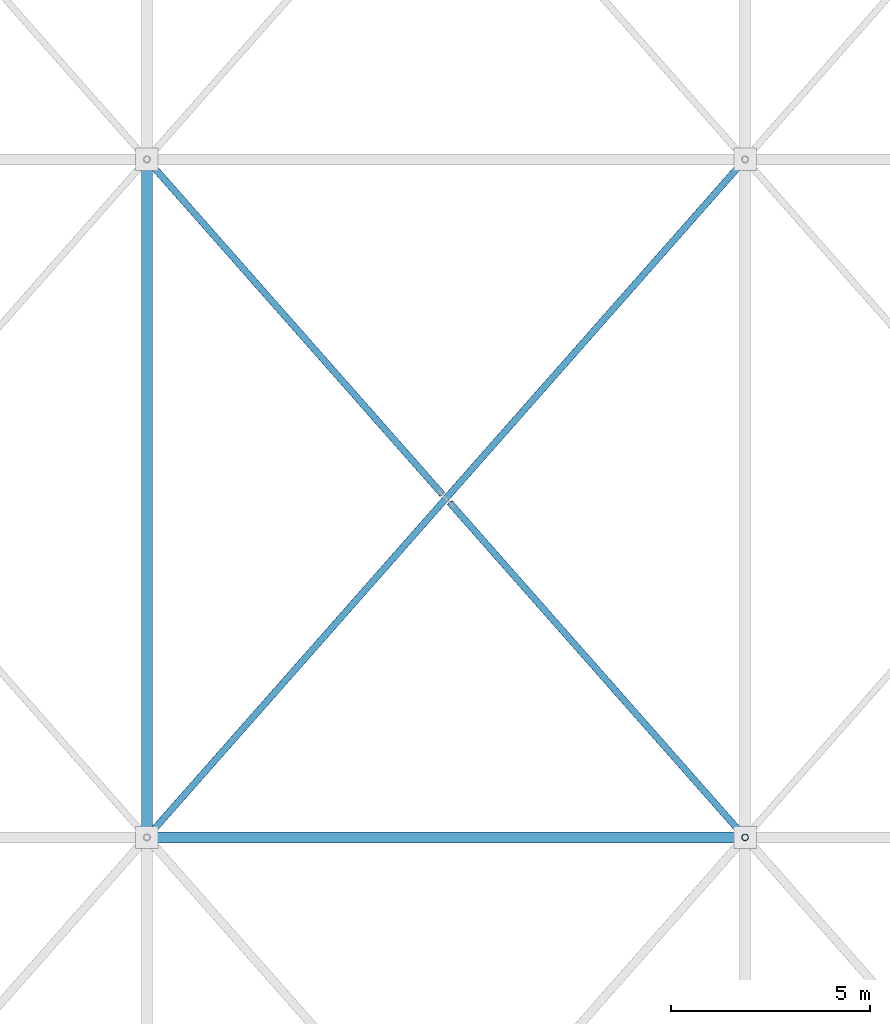
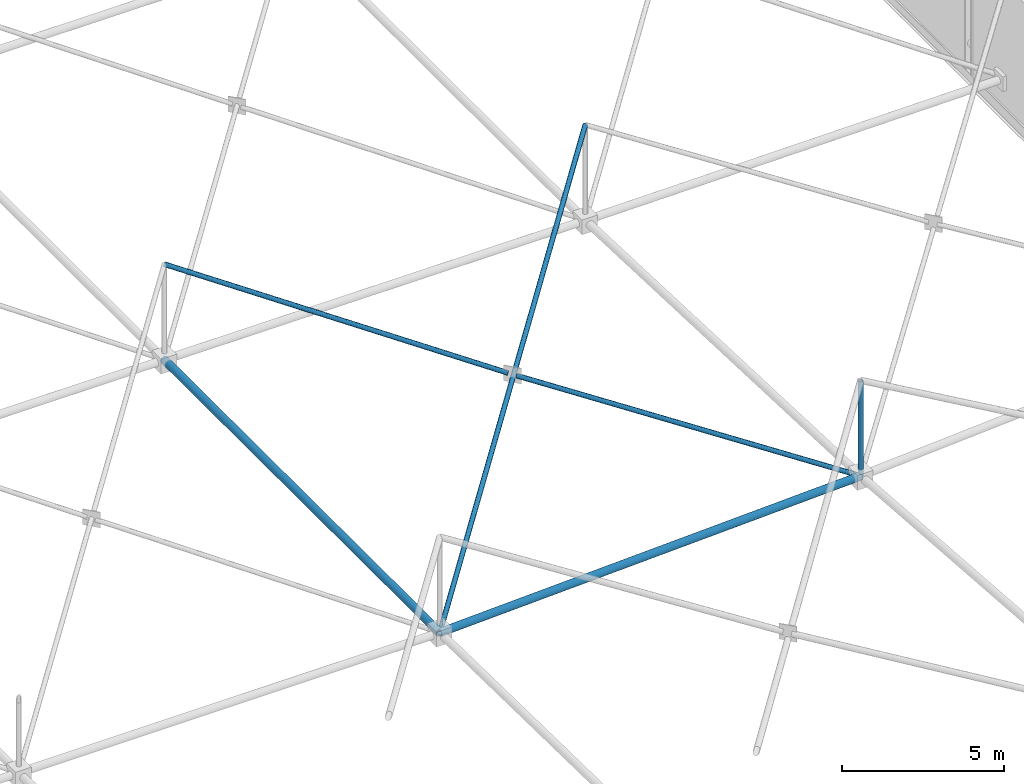
# One storey, part 61 of 224: 6 members.
"""IFC4 building model written with IfcOpenShell, lengths in metres."""

from ifc_helpers import new_model, si_unit, direction, frame, origin, origin_2d, place, context, subcontext, project, spatial, hollow_circle, extrude, material, material_profile, profile_set, type_object, element, save


model = new_model("IFC4")

# Units and contexts
model_context = context("Model", 3, precision=1e-05, world=origin(), true_north=direction((0.0, 1.0)))
body_context = subcontext(model_context, "Body", "Model", "MODEL_VIEW")
ifc_project = project(units=[si_unit("LENGTHUNIT", "METRE"), si_unit("AREAUNIT", "SQUARE_METRE"), si_unit("VOLUMEUNIT", "CUBIC_METRE"), si_unit("PLANEANGLEUNIT", "RADIAN"), si_unit("MASSUNIT", "GRAM", prefix="KILO")], contexts=[model_context])

# Site, building, storey
site_placement = place(None, origin())
site = spatial("IfcSite", under=ifc_project, at=site_placement, CompositionType="ELEMENT")
building_placement = place(site_placement, origin())
building = spatial("IfcBuilding", under=site, at=building_placement, Name="Qamarlyn Nura Convention Centre", CompositionType="ELEMENT")
storey_placement = place(building_placement, frame((0.0, 0.0, 10.800048828125)))
storey = spatial("IfcBuildingStorey", under=building, at=storey_placement, Name="L02", CompositionType="ELEMENT", Elevation=10.800048828125)

# Members
ifc_material = material(Name="Pearl-white PVDF steel ASTM A500 Grade C", Category="steel")
ifc_material_profile_1 = material_profile(ifc_material, hollow_circle(Radius=0.136474609375, WallThickness=0.012451171875, at=origin_2d()), Name="CHS273X12.5")
ifc_profile_set_1 = profile_set([ifc_material_profile_1], Name="Pearl-white PVDF steel ASTM A500 Grade C")
member_type_1 = type_object("IfcMemberType", Name="SF-BC-MAIN", PredefinedType="CHORD", material=ifc_profile_set_1)
member_1_placement = place(storey_placement, frame((90.0, 35.0, 0.828857421875), z_axis=(0.999057783726, 0.0, 0.043399824622), x_axis=(0.0, 1.0, 0.0)))
element("IfcMember", 1, at=member_1_placement, inside=storey, type_object=member_type_1, Name="ROOF TRUSS space frame bottom chord X8-3", PredefinedType="CHORD", context=body_context, shape_type="SweptSolid", body=[
    extrude(hollow_circle(Radius=0.136474609375, WallThickness=0.012451171875, at=origin_2d()), origin(), (0.0, 0.0, 1.0), 15.01416015625),
])
member_2_placement = place(storey_placement, frame((90.0, 35.0, 0.828857421875), z_axis=(0.0, 0.999998564129, -0.001694620729), x_axis=(-1.0, 0.0, 0.0)))
element("IfcMember", 2, at=member_2_placement, inside=storey, type_object=member_type_1, Name="ROOF TRUSS space frame bottom chord Y8-3", PredefinedType="CHORD", context=body_context, shape_type="SweptSolid", body=[
    extrude(hollow_circle(Radius=0.136474609375, WallThickness=0.012451171875, at=origin_2d()), origin(), (0.0, 0.0, 1.0), 17.0),
])
ifc_material_profile_2 = material_profile(ifc_material, hollow_circle(Radius=0.084228515625, WallThickness=0.008056640625, at=origin_2d()), Name="CHS168.3X8")
ifc_profile_set_2 = profile_set([ifc_material_profile_2], Name="Pearl-white PVDF steel ASTM A500 Grade C")
member_type_2 = type_object("IfcMemberType", Name="SF-WEB-STD", PredefinedType="BRACE", material=ifc_profile_set_2)
member_3_placement = place(storey_placement, frame((90.0, 35.0, 0.828857421875), z_axis=(0.653557344622, 0.740698323905, 0.155655999737), x_axis=(-0.749837855365, 0.661621637087, 0.0)))
element("IfcMember", 3, at=member_3_placement, inside=storey, type_object=member_type_2, Name="ROOF TRUSS space frame diagonal A 8-3", PredefinedType="BRACE", context=body_context, shape_type="SweptSolid", body=[
    extrude(hollow_circle(Radius=0.084228515625, WallThickness=0.008056640625, at=origin_2d()), origin(), (0.0, 0.0, 1.0), 22.951416015625),
])
member_4_placement = place(storey_placement, frame((105.0, 35.0, 1.48046875), z_axis=(-0.657343713899, 0.744992430826, 0.113514403534), x_axis=(-0.74983912797, -0.661620194799, 0.0)))
element("IfcMember", 4, at=member_4_placement, inside=storey, type_object=member_type_2, Name="ROOF TRUSS space frame split diagonal B1 8-3", PredefinedType="BRACE", context=body_context, shape_type="SweptSolid", body=[
    extrude(hollow_circle(Radius=0.084228515625, WallThickness=0.008056640625, at=origin_2d()), origin(), (0.0, 0.0, 1.0), 11.27001953125),
])
member_5_placement = place(storey_placement, frame((97.408203125, 43.60400390625, 2.795654296875), z_axis=(-0.654932300207, 0.742259484713, 0.141825736378), x_axis=(-0.74983912797, -0.661620194799, 0.0)))
element("IfcMember", 5, at=member_5_placement, inside=storey, type_object=member_type_2, Name="ROOF TRUSS space frame split diagonal B2 8-3", PredefinedType="BRACE", context=body_context, shape_type="SweptSolid", body=[
    extrude(hollow_circle(Radius=0.084228515625, WallThickness=0.008056640625, at=origin_2d()), origin(), (0.0, 0.0, 1.0), 11.3115234375),
])
member_6_placement = place(storey_placement, frame((105.0, 35.0, 1.48046875), z_axis=(0.0, 0.0, 1.0), x_axis=(1.0, 0.0, 0.0)))
element("IfcMember", 6, at=member_6_placement, inside=storey, type_object=member_type_2, Name="ROOF TRUSS space frame vertical 9-3", PredefinedType="BRACE", context=body_context, shape_type="SweptSolid", body=[
    extrude(hollow_circle(Radius=0.084228515625, WallThickness=0.008056640625, at=origin_2d()), origin(), (0.0, 0.0, 1.0), 3.60009765625),
])

save(model, "model.ifc")
